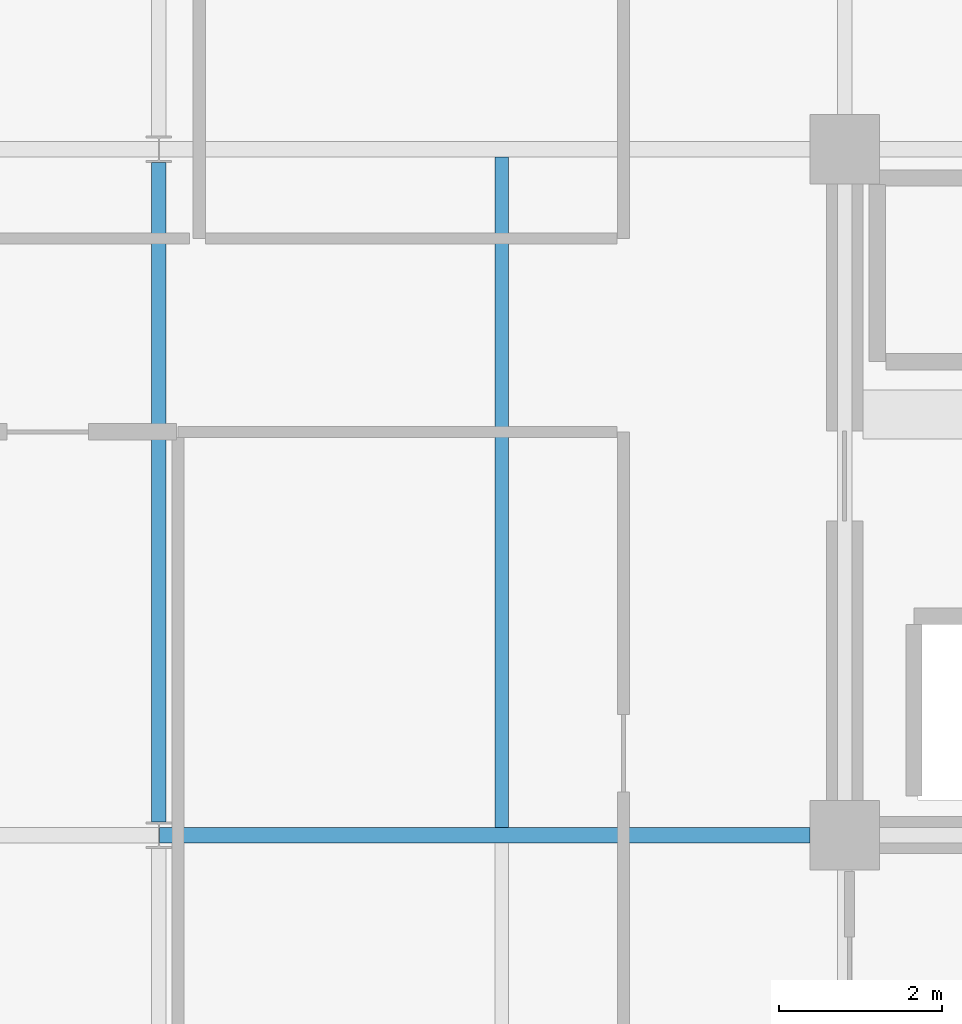
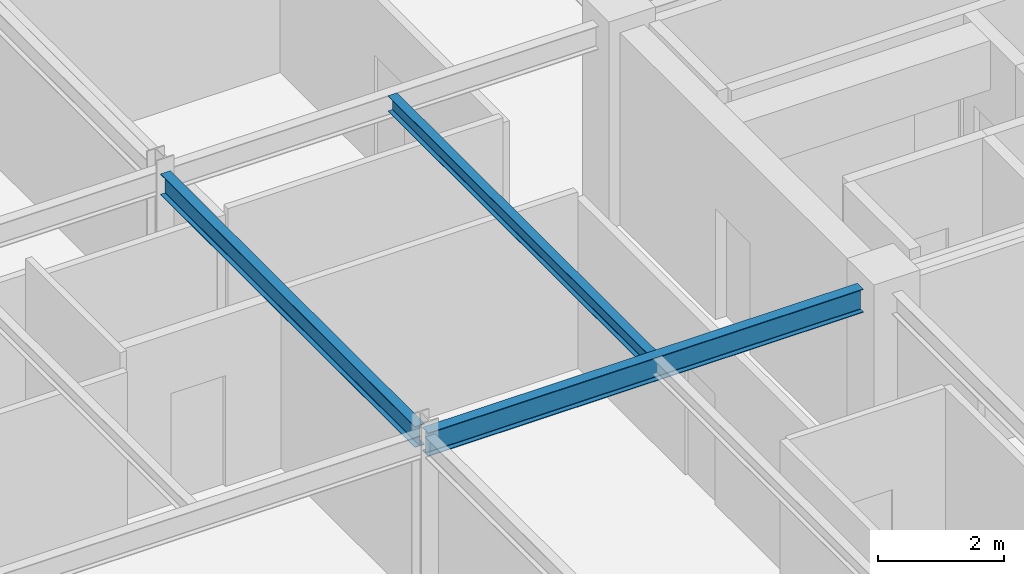
# One storey, part 6 of 24: 3 beams.
"""IFC4 building model written with IfcOpenShell, lengths in metres."""

from ifc_helpers import new_model, si_unit, direction, frame, origin, origin_2d, place, context, subcontext, project, spatial, i_section, extrude, material, material_profile, profile_set, type_object, element, save


model = new_model("IFC4")

# Units and contexts
model_context = context("Model", 3, precision=1e-05, world=origin(), true_north=direction((0.0, 1.0)))
body_context = subcontext(model_context, "Body", "Model", "MODEL_VIEW")
ifc_project = project(units=[si_unit("LENGTHUNIT", "METRE"), si_unit("AREAUNIT", "SQUARE_METRE"), si_unit("VOLUMEUNIT", "CUBIC_METRE"), si_unit("PLANEANGLEUNIT", "RADIAN"), si_unit("MASSUNIT", "GRAM", prefix="KILO")], contexts=[model_context])

# Site, building, storey
site_placement = place(None, origin())
site = spatial("IfcSite", under=ifc_project, at=site_placement, CompositionType="ELEMENT")
building_placement = place(site_placement, origin())
building = spatial("IfcBuilding", under=site, at=building_placement, Name="Nerrivon Quay Data Exchange", CompositionType="ELEMENT")
storey_placement = place(building_placement, frame((0.0, 0.0, 310.199951171875)))
storey = spatial("IfcBuildingStorey", under=building, at=storey_placement, Name="L74", CompositionType="ELEMENT", Elevation=310.199951171875)

# Beams
ifc_material = material(Name="Steel Grade 350", Category="steel")
ifc_material_profile_1 = material_profile(ifc_material, i_section(OverallWidth=0.18994140625, OverallDepth=0.4541015625, WebThickness=0.008544921875, FlangeThickness=0.0126953125, FilletRadius=0.011474609375, at=origin_2d()), Name="460UB67.1")
ifc_profile_set_1 = profile_set([ifc_material_profile_1], Name="Steel Grade 350")
beam_type_1 = type_object("IfcBeamType", Name="BM-G6-460UB67", PredefinedType="BEAM", material=ifc_profile_set_1)
beam_1_placement = place(storey_placement, frame((8.40771484375, 8.39990234375, 3.498046875), z_axis=(1.0, 0.0, 0.0), x_axis=(0.0, 1.0, 0.0)))
element("IfcBeam", 1, at=beam_1_placement, inside=storey, type_object=beam_type_1, Name="L74 EW Girder Y=8.4 (8.4..16.8)", PredefinedType="BEAM", context=body_context, shape_type="SweptSolid", body=[
    extrude(i_section(OverallWidth=0.18994140625, OverallDepth=0.4541015625, WebThickness=0.008544921875, FlangeThickness=0.0126953125, FilletRadius=0.011474609375, at=origin_2d()), origin(), (0.0, 0.0, 1.0), 7.96728515625),
])
ifc_material_profile_2 = material_profile(ifc_material, i_section(OverallWidth=0.177978515625, OverallDepth=0.406005859375, WebThickness=0.0078125, FlangeThickness=0.0126953125, FilletRadius=0.011474609375, at=origin_2d()), Name="410UB59.7")
ifc_profile_set_2 = profile_set([ifc_material_profile_2], Name="Steel Grade 350")
beam_type_2 = type_object("IfcBeamType", Name="BM-J1-410UB60", PredefinedType="JOIST", material=ifc_profile_set_2)
beam_2_placement = place(storey_placement, frame((8.39990234375, 8.5634765625, 3.52197265625), z_axis=(0.0, 1.0, 0.0), x_axis=(-1.0, 0.0, 0.0)))
element("IfcBeam", 2, at=beam_2_placement, inside=storey, type_object=beam_type_2, Name="L74 NS Girder X=8.4 (8.4..16.8)", PredefinedType="JOIST", context=body_context, shape_type="SweptSolid", body=[
    extrude(i_section(OverallWidth=0.177978515625, OverallDepth=0.406005859375, WebThickness=0.0078125, FlangeThickness=0.0126953125, FilletRadius=0.011474609375, at=origin_2d()), origin(), (0.0, 0.0, 1.0), 8.072998046875),
])
ifc_material_profile_3 = material_profile(ifc_material, i_section(OverallWidth=0.1650390625, OverallDepth=0.303955078125, WebThickness=0.006103515625, FlangeThickness=0.01025390625, FilletRadius=0.011474609375, at=origin_2d()), Name="310UB40.4")
ifc_profile_set_3 = profile_set([ifc_material_profile_3], Name="Steel Grade 350")
beam_type_3 = type_object("IfcBeamType", Name="BM-J6-310UB40", PredefinedType="JOIST", material=ifc_profile_set_3)
beam_3_placement = place(storey_placement, frame((12.60009765625, 8.4951171875, 3.572998046875), z_axis=(0.0, 1.0, 0.0), x_axis=(-1.0, 0.0, 0.0)))
element("IfcBeam", 3, at=beam_3_placement, inside=storey, type_object=beam_type_3, Name="L74 Secondary Joist X=12.6 (8.4..16.8)", PredefinedType="JOIST", context=body_context, shape_type="SweptSolid", body=[
    extrude(i_section(OverallWidth=0.1650390625, OverallDepth=0.303955078125, WebThickness=0.006103515625, FlangeThickness=0.01025390625, FilletRadius=0.011474609375, at=origin_2d()), origin(), (0.0, 0.0, 1.0), 8.2099609375),
])

save(model, "model.ifc")
